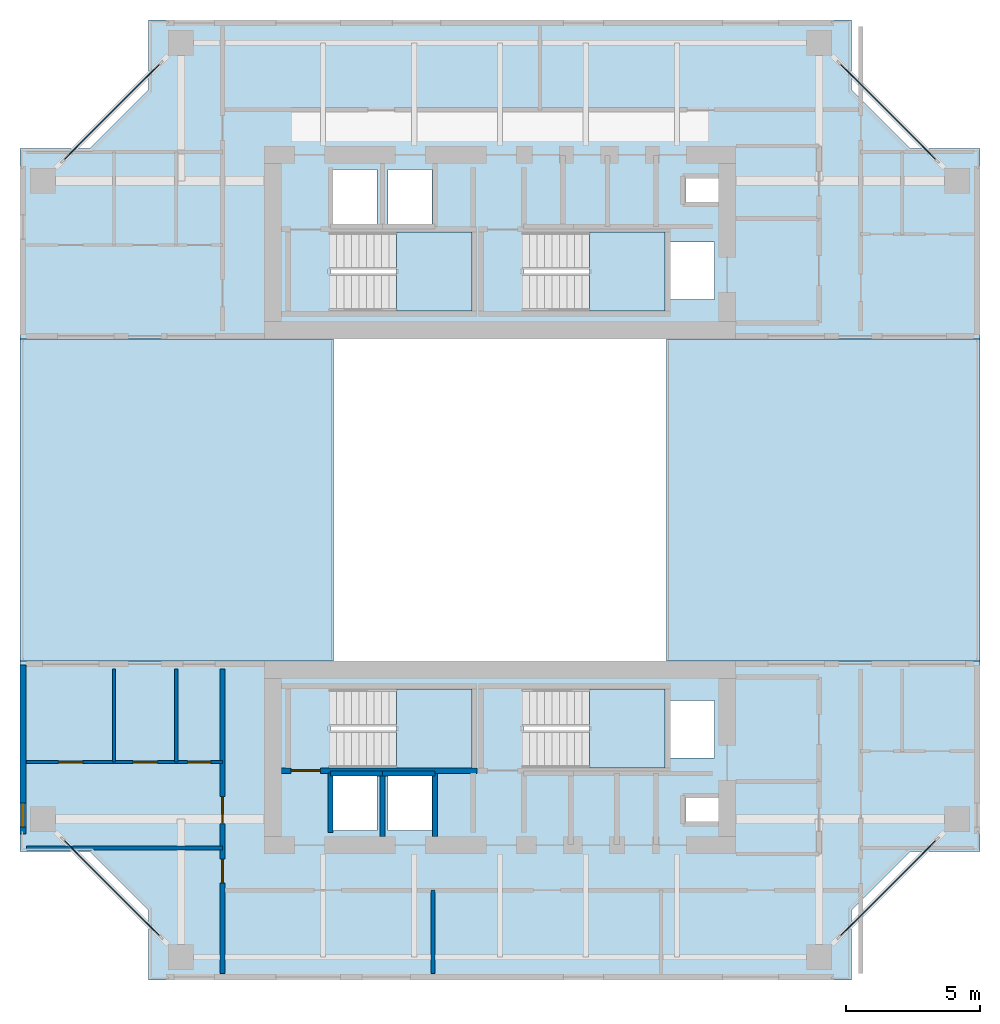
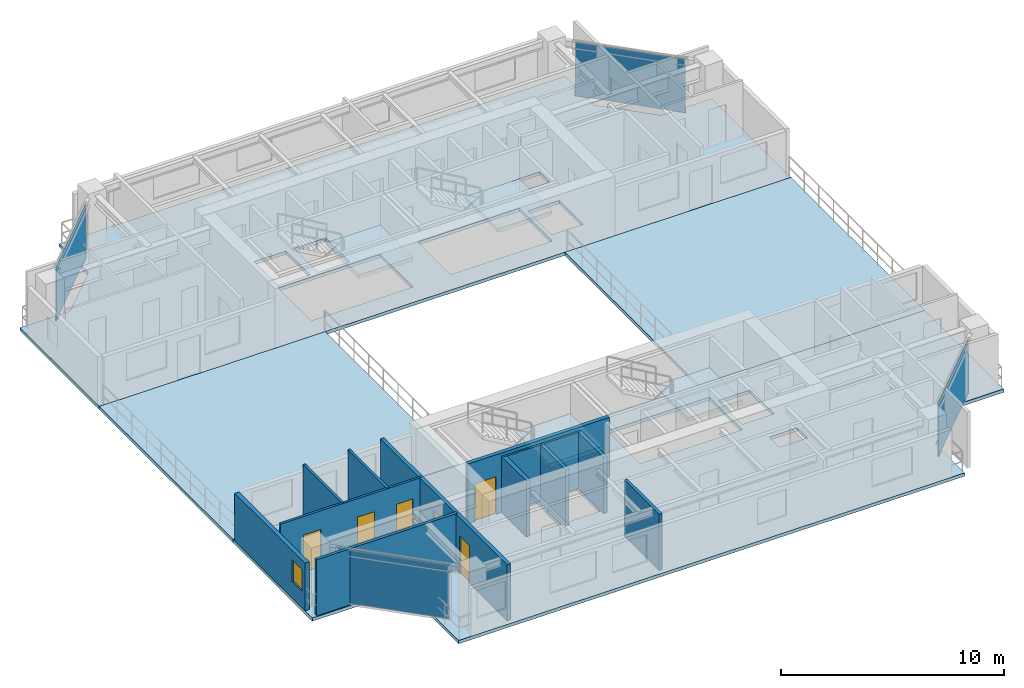
# One storey, part 6 of 14: 13 walls, 8 slabs, 6 doors, 4 plates, 1 window, 7 openings, 8 elements without a shape of their own.
"""IFC4 building model written with IfcOpenShell, lengths in metres."""

from ifc_helpers import new_model, si_unit, direction, frame, frame_2d, origin, origin_2d, place, context, subcontext, project, spatial, polyline, rectangle, outline, extrude, source, transform, mapped, material, layer, layer_set, type_object, element, fill, aggregate, save


model = new_model("IFC4")

# Units and contexts
model_context = context("Model", 3, precision=1e-05, world=origin(), true_north=direction((0.0, 1.0)))
body_context = subcontext(model_context, "Body", "Model", "MODEL_VIEW")
ifc_project = project(units=[si_unit("LENGTHUNIT", "METRE"), si_unit("AREAUNIT", "SQUARE_METRE"), si_unit("VOLUMEUNIT", "CUBIC_METRE"), si_unit("PLANEANGLEUNIT", "RADIAN"), si_unit("MASSUNIT", "GRAM", prefix="KILO"), si_unit("THERMODYNAMICTEMPERATUREUNIT", "KELVIN"), si_unit("POWERUNIT", "WATT")], contexts=[model_context])

# Site, building, storey
site_placement = place(None, origin())
site = spatial("IfcSite", under=ifc_project, at=site_placement, CompositionType="ELEMENT")
building_placement = place(site_placement, origin())
building = spatial("IfcBuilding", under=site, at=building_placement, Name="Qiaomeng Ring Towers", CompositionType="ELEMENT")
storey_placement = place(building_placement, frame((0.0, 0.0, 153.5)))
storey = spatial("IfcBuildingStorey", under=building, at=storey_placement, Name="L44", CompositionType="ELEMENT", Elevation=153.5)

# Slabs
ifc_material_1 = material(Name="Concrete C40", Category="concrete")
ifc_layer_1 = layer(ifc_material_1, 0.179931640625, Name="Concrete C40")
ifc_layer_set_1 = layer_set([ifc_layer_1], Name="Concrete C40")
slab_type_1 = type_object("IfcSlabType", Name="STR-SL-180", PredefinedType="FLOOR", material=ifc_layer_set_1)
slab_1_placement = place(storey_placement, frame((0.0, 0.0, -0.179931640625)))
element("IfcSlab", 1, at=slab_1_placement, inside=storey, type_object=slab_type_1, Name="L44 Tower 1 North Portal Wing Slab", PredefinedType="FLOOR", context=body_context, shape_type="SweptSolid", body=[
    extrude(outline(polyline([(1.10009765625, 36.10009765625), (3.699951171875, 36.10009765625), (5.89990234375, 38.300048828125), (5.89990234375, 40.89990234375), (32.10009765625, 40.89990234375), (32.10009765625, 38.300048828125), (34.300048828125, 36.10009765625), (36.89990234375, 36.10009765625), (36.89990234375, 29.0), (1.10009765625, 29.0), (1.10009765625, 36.10009765625)]), holes=[polyline([(17.949951171875, 30.050048828125), (12.679931640625, 30.050048828125), (12.679931640625, 32.989990234375), (17.949951171875, 32.989990234375), (17.949951171875, 30.050048828125)]), polyline([(19.8798828125, 30.050048828125), (19.8798828125, 32.989990234375), (25.14990234375, 32.989990234375), (25.14990234375, 30.050048828125), (19.8798828125, 30.050048828125)]), polyline([(25.360107421875, 30.47998046875), (25.360107421875, 32.6201171875), (27.0, 32.6201171875), (27.0, 30.47998046875), (25.360107421875, 30.47998046875)]), polyline([(14.419921875, 33.179931640625), (12.780029296875, 33.179931640625), (12.780029296875, 35.320068359375), (14.419921875, 35.320068359375), (14.419921875, 33.179931640625)]), polyline([(14.830078125, 33.179931640625), (14.830078125, 35.320068359375), (16.469970703125, 35.320068359375), (16.469970703125, 33.179931640625), (14.830078125, 33.179931640625)]), polyline([(25.919921875, 34.10009765625), (25.919921875, 35.0), (27.360107421875, 35.0), (27.360107421875, 34.10009765625), (25.919921875, 34.10009765625)])]), origin(), (0.0, 0.0, 1.0), 0.179931640625),
])
slab_2_placement = place(storey_placement, frame((0.0, 0.0, -0.179931640625)))
element("IfcSlab", 2, at=slab_2_placement, inside=storey, type_object=slab_type_1, Name="L44 Tower 1 South Portal Wing Slab", PredefinedType="FLOOR", context=body_context, shape_type="SweptSolid", body=[
    extrude(outline(polyline([(36.89990234375, 9.89990234375), (34.300048828125, 9.89990234375), (32.10009765625, 7.699951171875), (32.10009765625, 5.10009765625), (5.89990234375, 5.10009765625), (5.89990234375, 7.699951171875), (3.699951171875, 9.89990234375), (1.10009765625, 9.89990234375), (1.10009765625, 17.0), (36.89990234375, 17.0), (36.89990234375, 9.89990234375)]), holes=[polyline([(27.360107421875, 11.0), (25.919921875, 11.0), (25.919921875, 11.89990234375), (27.360107421875, 11.89990234375), (27.360107421875, 11.0)]), polyline([(12.780029296875, 10.679931640625), (12.780029296875, 12.820068359375), (14.419921875, 12.820068359375), (14.419921875, 10.679931640625), (12.780029296875, 10.679931640625)]), polyline([(14.830078125, 10.679931640625), (14.830078125, 12.820068359375), (16.469970703125, 12.820068359375), (16.469970703125, 10.679931640625), (14.830078125, 10.679931640625)]), polyline([(27.0, 13.3798828125), (25.360107421875, 13.3798828125), (25.360107421875, 15.52001953125), (27.0, 15.52001953125), (27.0, 13.3798828125)]), polyline([(12.679931640625, 13.010009765625), (12.679931640625, 15.949951171875), (17.949951171875, 15.949951171875), (17.949951171875, 13.010009765625), (12.679931640625, 13.010009765625)]), polyline([(19.8798828125, 13.010009765625), (19.8798828125, 15.949951171875), (25.14990234375, 15.949951171875), (25.14990234375, 13.010009765625), (19.8798828125, 13.010009765625)])]), origin(), (0.0, 0.0, 1.0), 0.179931640625),
])

# Stair, slab
ifc_material_2 = material(Name="Precast concrete C40", Category="concrete")
stair_type = type_object("IfcStairType", Name="ARC-ST-325", PredefinedType="HALF_TURN_STAIR", material=ifc_material_2)
stair_1_placement = place(storey_placement, origin())
stair_1 = element("IfcStair", 3, at=stair_1_placement, inside=storey, type_object=stair_type, Name="L44 Tower 1 North Stair 1", PredefinedType="HALF_TURN_STAIR")
ifc_layer_2 = layer(ifc_material_1, 0.199951171875, Name="Concrete C40")
ifc_layer_set_2 = layer_set([ifc_layer_2], Name="Concrete C40")
slab_type_2 = type_object("IfcSlabType", Name="STR-SL-LANDING", PredefinedType="LANDING", material=ifc_layer_set_2)
slab_3_placement = place(storey_placement, frame((0.0, 0.0, 1.425048828125)))
slab_3 = element("IfcSlab", 4, at=slab_3_placement, type_object=slab_type_2, Name="ST1 landing 1", PredefinedType="LANDING", context=body_context, shape_type="SweptSolid", body=[
    extrude(outline(polyline([(15.139892578125, 30.050048828125), (17.949951171875, 30.050048828125), (17.949951171875, 32.989990234375), (15.139892578125, 32.989990234375), (15.139892578125, 30.050048828125)])), origin(), (0.0, 0.0, 1.0), 0.199951171875),
])
aggregate(stair_1, [slab_3])

stair_2_placement = place(storey_placement, origin())
stair_2 = element("IfcStair", 5, at=stair_2_placement, inside=storey, type_object=stair_type, Name="L44 Tower 1 North Stair 2", PredefinedType="HALF_TURN_STAIR")
slab_4_placement = place(storey_placement, frame((0.0, 0.0, 1.425048828125)))
slab_4 = element("IfcSlab", 6, at=slab_4_placement, type_object=slab_type_2, Name="ST2 landing 1", PredefinedType="LANDING", context=body_context, shape_type="SweptSolid", body=[
    extrude(outline(polyline([(22.340087890625, 30.050048828125), (25.14990234375, 30.050048828125), (25.14990234375, 32.989990234375), (22.340087890625, 32.989990234375), (22.340087890625, 30.050048828125)])), origin(), (0.0, 0.0, 1.0), 0.199951171875),
])
aggregate(stair_2, [slab_4])

stair_3_placement = place(storey_placement, origin())
stair_3 = element("IfcStair", 7, at=stair_3_placement, inside=storey, type_object=stair_type, Name="L44 Tower 1 South Stair 3", PredefinedType="HALF_TURN_STAIR")
slab_5_placement = place(storey_placement, frame((0.0, 0.0, 1.425048828125)))
slab_5 = element("IfcSlab", 8, at=slab_5_placement, type_object=slab_type_2, Name="ST3 landing 1", PredefinedType="LANDING", context=body_context, shape_type="SweptSolid", body=[
    extrude(outline(polyline([(15.139892578125, 13.010009765625), (17.949951171875, 13.010009765625), (17.949951171875, 15.949951171875), (15.139892578125, 15.949951171875), (15.139892578125, 13.010009765625)])), origin(), (0.0, 0.0, 1.0), 0.199951171875),
])
aggregate(stair_3, [slab_5])

stair_4_placement = place(storey_placement, origin())
stair_4 = element("IfcStair", 9, at=stair_4_placement, inside=storey, type_object=stair_type, Name="L44 Tower 1 South Stair 4", PredefinedType="HALF_TURN_STAIR")
slab_6_placement = place(storey_placement, frame((0.0, 0.0, 1.425048828125)))
slab_6 = element("IfcSlab", 10, at=slab_6_placement, type_object=slab_type_2, Name="ST4 landing 1", PredefinedType="LANDING", context=body_context, shape_type="SweptSolid", body=[
    extrude(outline(polyline([(22.340087890625, 13.010009765625), (25.14990234375, 13.010009765625), (25.14990234375, 15.949951171875), (22.340087890625, 15.949951171875), (22.340087890625, 13.010009765625)])), origin(), (0.0, 0.0, 1.0), 0.199951171875),
])
aggregate(stair_4, [slab_6])

# Slabs
ifc_layer_3 = layer(ifc_material_1, 0.179931640625, Name="Concrete C40")
ifc_layer_set_3 = layer_set([ifc_layer_3], Name="Concrete C40")
slab_type_3 = type_object("IfcSlabType", Name="STR-SL-TERR180", PredefinedType="FLOOR", material=ifc_layer_set_3)
slab_7_placement = place(storey_placement, frame((0.0, 0.0, -0.179931640625)))
element("IfcSlab", 11, at=slab_7_placement, inside=storey, type_object=slab_type_3, Name="L44 West Void-Portal Sky Terrace Slab", PredefinedType="FLOOR", context=body_context, shape_type="SweptSolid", body=[
    extrude(outline(polyline([(1.10009765625, 17.0), (12.800048828125, 17.0), (12.800048828125, 29.0), (1.10009765625, 29.0), (1.10009765625, 17.0)])), origin(), (0.0, 0.0, 1.0), 0.179931640625),
])
slab_8_placement = place(storey_placement, frame((0.0, 0.0, -0.179931640625)))
element("IfcSlab", 12, at=slab_8_placement, inside=storey, type_object=slab_type_3, Name="L44 East Void-Portal Sky Terrace Slab", PredefinedType="FLOOR", context=body_context, shape_type="SweptSolid", body=[
    extrude(outline(polyline([(25.199951171875, 17.0), (36.89990234375, 17.0), (36.89990234375, 29.0), (25.199951171875, 29.0), (25.199951171875, 17.0)])), origin(), (0.0, 0.0, 1.0), 0.179931640625),
])

# Curtain wall, plate
ifc_material_3 = material(Name="Fluorocarbon dark-grey aluminium", Category="aluminium")
ifc_layer_4 = layer(ifc_material_3, 0.14990234375, Name="Fluorocarbon dark-grey aluminium")
ifc_layer_set_4 = layer_set([ifc_layer_4], Name="Fluorocarbon dark-grey aluminium")
curtain_wall_type = type_object("IfcCurtainWallType", Name="ARC-CW-3", PredefinedType="NOTDEFINED", material=ifc_layer_set_4)
curtain_wall_1_placement = place(storey_placement, origin())
curtain_wall_1 = element("IfcCurtainWall", 13, at=curtain_wall_1_placement, inside=storey, type_object=curtain_wall_type, Name="L44 Curtain Wall CW3", PredefinedType="NOTDEFINED")
ifc_material_4 = material(Name="Low-E dark-grey laminated double glazing", Category="glass")
ifc_layer_5 = layer(ifc_material_4, 0.028076171875, Name="Low-E dark-grey laminated double glazing")
ifc_layer_set_5 = layer_set([ifc_layer_5], Name="Low-E dark-grey laminated double glazing")
plate_type = type_object("IfcPlateType", Name="ARC-CWP-DARK", PredefinedType="CURTAIN_PANEL", material=ifc_layer_set_5)
shared_shape_1 = source(origin(), body_context, "Body", "SweptSolid", [
    extrude(rectangle(XDim=5.120849609375, YDim=0.028076171875, at=origin_2d()), origin(), (0.0, 0.0, 1.0), 2.93994140625),
])
plate_1_placement = place(storey_placement, frame((33.47509765625, 8.52490234375, 0.06494140625), z_axis=(0.0, 0.0, 1.0), x_axis=(0.707106781187, 0.707106781187, 0.0)))
plate_1 = element("IfcPlate", 14, at=plate_1_placement, type_object=plate_type, Name="CW3 panel 1.1", PredefinedType="CURTAIN_PANEL", context=body_context, shape_type="MappedRepresentation", body=[
    mapped(shared_shape_1, transform((0.0, 0.0, 0.0), x_axis=(1.0, 0.0, 0.0), y_axis=(0.0, 1.0, 0.0), z_axis=(0.0, 0.0, 1.0), scale=1.0)),
])
aggregate(curtain_wall_1, [plate_1])

curtain_wall_2_placement = place(storey_placement, origin())
curtain_wall_2 = element("IfcCurtainWall", 15, at=curtain_wall_2_placement, inside=storey, type_object=curtain_wall_type, Name="L44 Curtain Wall CW3", PredefinedType="NOTDEFINED")
plate_2_placement = place(storey_placement, frame((33.47509765625, 37.47509765625, 0.06494140625), z_axis=(0.0, 0.0, 1.0), x_axis=(-0.707106781187, 0.707106781187, 0.0)))
plate_2 = element("IfcPlate", 16, at=plate_2_placement, type_object=plate_type, Name="CW3 panel 1.1", PredefinedType="CURTAIN_PANEL", context=body_context, shape_type="MappedRepresentation", body=[
    mapped(shared_shape_1, transform((0.0, 0.0, 0.0), x_axis=(1.0, 0.0, 0.0), y_axis=(0.0, 1.0, 0.0), z_axis=(0.0, 0.0, 1.0), scale=1.0)),
])
aggregate(curtain_wall_2, [plate_2])

curtain_wall_3_placement = place(storey_placement, origin())
curtain_wall_3 = element("IfcCurtainWall", 17, at=curtain_wall_3_placement, inside=storey, type_object=curtain_wall_type, Name="L44 Curtain Wall CW3", PredefinedType="NOTDEFINED")
plate_3_placement = place(storey_placement, frame((4.52490234375, 37.47509765625, 0.06494140625), z_axis=(0.0, 0.0, 1.0), x_axis=(-0.707106781187, -0.707106781187, 0.0)))
plate_3 = element("IfcPlate", 18, at=plate_3_placement, type_object=plate_type, Name="CW3 panel 1.1", PredefinedType="CURTAIN_PANEL", context=body_context, shape_type="MappedRepresentation", body=[
    mapped(shared_shape_1, transform((0.0, 0.0, 0.0), x_axis=(1.0, 0.0, 0.0), y_axis=(0.0, 1.0, 0.0), z_axis=(0.0, 0.0, 1.0), scale=1.0)),
])
aggregate(curtain_wall_3, [plate_3])

curtain_wall_4_placement = place(storey_placement, origin())
curtain_wall_4 = element("IfcCurtainWall", 19, at=curtain_wall_4_placement, inside=storey, type_object=curtain_wall_type, Name="L44 Curtain Wall CW3", PredefinedType="NOTDEFINED")
plate_4_placement = place(storey_placement, frame((4.52490234375, 8.52490234375, 0.06494140625), z_axis=(0.0, 0.0, 1.0), x_axis=(0.707106781187, -0.707106781187, 0.0)))
plate_4 = element("IfcPlate", 20, at=plate_4_placement, type_object=plate_type, Name="CW3 panel 1.1", PredefinedType="CURTAIN_PANEL", context=body_context, shape_type="MappedRepresentation", body=[
    mapped(shared_shape_1, transform((0.0, 0.0, 0.0), x_axis=(1.0, 0.0, 0.0), y_axis=(0.0, 1.0, 0.0), z_axis=(0.0, 0.0, 1.0), scale=1.0)),
])
aggregate(curtain_wall_4, [plate_4])

# Wall, opening, window
ifc_layer_6 = layer(ifc_material_2, 0.219970703125, Name="Precast concrete C40")
ifc_layer_set_6 = layer_set([ifc_layer_6], Name="Precast concrete C40")
wall_type_1 = type_object("IfcWallType", Name="ARC-WL-EW2", PredefinedType="STANDARD", material=ifc_layer_set_6)
wall_1_placement = place(storey_placement, frame((1.2099609375, 10.550048828125, 0.0), z_axis=(0.0, 0.0, 1.0), x_axis=(0.0, 1.0, 0.0)))
wall_1 = element("IfcWall", 21, at=wall_1_placement, inside=storey, type_object=wall_type_1, Name="L44 Portal Wing Side Wall SWING-WL", PredefinedType="STANDARD", context=body_context, shape_type="SweptSolid", body=[
    extrude(rectangle(XDim=6.300048828125, YDim=0.219970703125, at=frame_2d((3.14990234375, 0.0))), origin(), (0.0, 0.0, 1.0), 2.610107421875),
])
opening_1_placement = place(wall_1_placement, frame((0.25, 0.0, 0.89990234375)))
opening_1 = element("IfcOpeningElement", 22, at=opening_1_placement, cuts=wall_1, Name="Opening WN5", PredefinedType="OPENING", context=body_context, shape_type="SweptSolid", body=[
    extrude(rectangle(XDim=0.89990234375, YDim=1.199951171875, at=frame_2d((0.449951171875, 0.60009765625))), frame((0.0, 0.119873046875, 0.0), z_axis=(0.0, -1.0, 0.0), x_axis=(1.0, 0.0, 0.0)), (0.0, 0.0, 1.0), 0.239990234375),
])
window_type = type_object("IfcWindowType", Name="ARC-WN-5", PartitioningType="SINGLE_PANEL", PredefinedType="WINDOW", material=ifc_material_4)
shared_shape_2 = source(origin(), body_context, "Body", "SweptSolid", [
    extrude(rectangle(XDim=0.89990234375, YDim=1.199951171875, at=frame_2d((0.449951171875, 0.60009765625))), frame((0.0, 0.030029296875, 0.0), z_axis=(0.0, -1.0, 0.0), x_axis=(1.0, 0.0, 0.0)), (0.0, 0.0, 1.0), 0.06005859375),
])
window_placement = place(opening_1_placement, origin())
window = element("IfcWindow", 23, at=window_placement, inside=storey, type_object=window_type, Name="L44 Exterior Window WN5", OverallHeight=1.199951171875, OverallWidth=0.89990234375, PartitioningType="SINGLE_PANEL", PredefinedType="WINDOW", context=body_context, shape_type="MappedRepresentation", body=[
    mapped(shared_shape_2, transform((0.0, 0.0, 0.0), x_axis=(1.0, 0.0, 0.0), y_axis=(0.0, 1.0, 0.0), z_axis=(0.0, 0.0, 1.0), scale=1.0)),
])
fill(opening_1, window)

# Wall
ifc_material_5 = material(Name="Autoclaved aerated concrete block", Category="concrete")
ifc_layer_7 = layer(ifc_material_5, 0.199951171875, Name="Autoclaved aerated concrete block")
ifc_layer_set_7 = layer_set([ifc_layer_7], Name="Autoclaved aerated concrete block")
wall_type_2 = type_object("IfcWallType", Name="ARC-WL-PW1", PredefinedType="PARTITIONING", material=ifc_layer_set_7)
wall_2_placement = place(storey_placement, frame((12.679931640625, 10.60009765625, 0.0), z_axis=(0.0, 0.0, 1.0), x_axis=(0.0, 1.0, 0.0)))
element("IfcWall", 24, at=wall_2_placement, inside=storey, type_object=wall_type_2, Name="L44 Interior Wall PW1", PredefinedType="PARTITIONING", context=body_context, shape_type="SweptSolid", body=[
    extrude(rectangle(XDim=2.2099609375, YDim=0.199951171875, at=frame_2d((1.10498046875, 0.0))), origin(), (0.0, 0.0, 1.0), 3.070068359375),
])

# Wall, openings, doors
ifc_layer_8 = layer(ifc_material_5, 0.179931640625, Name="Autoclaved aerated concrete block")
ifc_layer_set_8 = layer_set([ifc_layer_8], Name="Autoclaved aerated concrete block")
wall_type_3 = type_object("IfcWallType", Name="ARC-WL-PW2", PredefinedType="PARTITIONING", material=ifc_layer_set_8)
wall_3_placement = place(storey_placement, frame((8.64990234375, 5.35009765625, 0.0), z_axis=(0.0, 0.0, 1.0), x_axis=(0.0, 1.0, 0.0)))
wall_3 = element("IfcWall", 25, at=wall_3_placement, inside=storey, type_object=wall_type_3, Name="L44 Interior Wall PW2", PredefinedType="PARTITIONING", context=body_context, shape_type="SweptSolid", body=[
    extrude(rectangle(XDim=11.349853515625, YDim=0.179931640625, at=frame_2d((5.6748046875, 0.0))), origin(), (0.0, 0.0, 1.0), 3.070068359375),
])
opening_2_placement = place(wall_3_placement, frame((3.360107421875, 0.0, 0.0)))
opening_2 = element("IfcOpeningElement", 26, at=opening_2_placement, cuts=wall_3, Name="Opening ID1", PredefinedType="OPENING", context=body_context, shape_type="SweptSolid", body=[
    extrude(rectangle(XDim=0.89990234375, YDim=2.050048828125, at=frame_2d((0.449951171875, 1.02490234375))), frame((0.0, 0.099853515625, 0.0), z_axis=(0.0, -1.0, 0.0), x_axis=(1.0, 0.0, 0.0)), (0.0, 0.0, 1.0), 0.199951171875),
])
opening_3_placement = place(wall_3_placement, frame((5.5849609375, 0.0, 0.0)))
opening_3 = element("IfcOpeningElement", 27, at=opening_3_placement, cuts=wall_3, Name="Opening FD4", PredefinedType="OPENING", context=body_context, shape_type="SweptSolid", body=[
    extrude(rectangle(XDim=1.0, YDim=2.050048828125, at=frame_2d((0.5, 1.02490234375))), frame((0.0, 0.099853515625, 0.0), z_axis=(0.0, -1.0, 0.0), x_axis=(1.0, 0.0, 0.0)), (0.0, 0.0, 1.0), 0.199951171875),
])
ifc_material_6 = material(Name="Engineered fire-rated oak timber", Category="wood")
door_type_1 = type_object("IfcDoorType", Name="ARC-DR-FD4", OperationType="NOTDEFINED", PredefinedType="DOOR", material=ifc_material_6)
shared_shape_3 = source(origin(), body_context, "Body", "SweptSolid", [
    extrude(rectangle(XDim=1.0, YDim=2.050048828125, at=frame_2d((0.5, 1.02490234375))), frame((0.0, 0.02490234375, 0.0), z_axis=(0.0, -1.0, 0.0), x_axis=(1.0, 0.0, 0.0)), (0.0, 0.0, 1.0), 0.050048828125),
])
door_1_placement = place(opening_3_placement, origin())
door_1 = element("IfcDoor", 28, at=door_1_placement, inside=storey, type_object=door_type_1, Name="L44 Door FD4", OperationType="SINGLE_SWING_RIGHT", OverallHeight=2.050048828125, OverallWidth=1.0, PredefinedType="DOOR", context=body_context, shape_type="MappedRepresentation", body=[
    mapped(shared_shape_3, transform((0.0, 0.0, 0.0), x_axis=(1.0, 0.0, 0.0), y_axis=(0.0, 1.0, 0.0), z_axis=(0.0, 0.0, 1.0), scale=1.0)),
])
fill(opening_3, door_1)
ifc_material_7 = material(Name="Engineered oak timber", Category="wood")
door_type_2 = type_object("IfcDoorType", Name="ARC-DR-ID1", OperationType="NOTDEFINED", PredefinedType="DOOR", material=ifc_material_7)
shared_shape_4 = source(origin(), body_context, "Body", "SweptSolid", [
    extrude(rectangle(XDim=0.89990234375, YDim=2.050048828125, at=frame_2d((0.449951171875, 1.02490234375))), frame((0.0, 0.02490234375, 0.0), z_axis=(0.0, -1.0, 0.0), x_axis=(1.0, 0.0, 0.0)), (0.0, 0.0, 1.0), 0.050048828125),
])
door_2_placement = place(opening_2_placement, origin())
door_2 = element("IfcDoor", 29, at=door_2_placement, inside=storey, type_object=door_type_2, Name="L44 Door ID1", OperationType="SINGLE_SWING_LEFT", OverallHeight=2.050048828125, OverallWidth=0.89990234375, PredefinedType="DOOR", context=body_context, shape_type="MappedRepresentation", body=[
    mapped(shared_shape_4, transform((0.0, 0.0, 0.0), x_axis=(1.0, 0.0, 0.0), y_axis=(0.0, 1.0, 0.0), z_axis=(0.0, 0.0, 1.0), scale=1.0)),
])
fill(opening_2, door_2)

# Walls
ifc_material_8 = material(Name="Gypsum fireboard steel-stud partition", Category="steel")
ifc_layer_9 = layer(ifc_material_8, 0.14990234375, Name="Gypsum fireboard steel-stud partition")
ifc_layer_set_9 = layer_set([ifc_layer_9], Name="Gypsum fireboard steel-stud partition")
wall_type_4 = type_object("IfcWallType", Name="ARC-WL-PW3", PredefinedType="PARTITIONING", material=ifc_layer_set_9)
wall_4_placement = place(storey_placement, frame((1.35009765625, 10.02001953125, 0.0), z_axis=(0.0, 0.0, 1.0), x_axis=(1.0, 0.0, 0.0)))
element("IfcWall", 30, at=wall_4_placement, inside=storey, type_object=wall_type_4, Name="L44 Interior Wall PW3", PredefinedType="PARTITIONING", context=body_context, shape_type="SweptSolid", body=[
    extrude(rectangle(XDim=7.2998046875, YDim=0.14990234375, at=frame_2d((3.64990234375, 0.0))), origin(), (0.0, 0.0, 1.0), 3.070068359375),
])
wall_5_placement = place(storey_placement, frame((16.5, 5.35009765625, 0.0), z_axis=(0.0, 0.0, 1.0), x_axis=(0.0, 1.0, 0.0)))
element("IfcWall", 31, at=wall_5_placement, inside=storey, type_object=wall_type_4, Name="L44 Interior Wall PW3", PredefinedType="PARTITIONING", context=body_context, shape_type="SweptSolid", body=[
    extrude(rectangle(XDim=3.099853515625, YDim=0.14990234375, at=frame_2d((1.5498046875, 0.0))), origin(), (0.0, 0.0, 1.0), 3.070068359375),
])

# Wall, openings, doors
ifc_material_9 = material(Name="Moisture-resistant gypsum steel-stud partition", Category="steel")
ifc_layer_10 = layer(ifc_material_9, 0.1201171875, Name="Moisture-resistant gypsum steel-stud partition")
ifc_layer_set_10 = layer_set([ifc_layer_10], Name="Moisture-resistant gypsum steel-stud partition")
wall_type_5 = type_object("IfcWallType", Name="ARC-WL-PW4", PredefinedType="PLUMBINGWALL", material=ifc_layer_set_10)
wall_6_placement = place(storey_placement, frame((1.35009765625, 13.22998046875, 0.0), z_axis=(0.0, 0.0, 1.0), x_axis=(1.0, 0.0, 0.0)))
wall_6 = element("IfcWall", 32, at=wall_6_placement, inside=storey, type_object=wall_type_5, Name="L44 Interior Wall PW4", PredefinedType="PLUMBINGWALL", context=body_context, shape_type="SweptSolid", body=[
    extrude(rectangle(XDim=7.2998046875, YDim=0.1201171875, at=frame_2d((3.64990234375, 0.0))), origin(), (0.0, 0.0, 1.0), 3.070068359375),
])
opening_4_placement = place(wall_6_placement, frame((1.18994140625, 0.0, 0.0)))
opening_4 = element("IfcOpeningElement", 33, at=opening_4_placement, cuts=wall_6, Name="Opening ID1", PredefinedType="OPENING", context=body_context, shape_type="SweptSolid", body=[
    extrude(rectangle(XDim=0.89990234375, YDim=2.050048828125, at=frame_2d((0.449951171875, 1.02490234375))), frame((0.0, 0.070068359375, 0.0), z_axis=(0.0, -1.0, 0.0), x_axis=(1.0, 0.0, 0.0)), (0.0, 0.0, 1.0), 0.14013671875),
])
opening_5_placement = place(wall_6_placement, frame((3.969970703125, 0.0, 0.0)))
opening_5 = element("IfcOpeningElement", 34, at=opening_5_placement, cuts=wall_6, Name="Opening ID1", PredefinedType="OPENING", context=body_context, shape_type="SweptSolid", body=[
    extrude(rectangle(XDim=0.89990234375, YDim=2.050048828125, at=frame_2d((0.449951171875, 1.02490234375))), frame((0.0, 0.070068359375, 0.0), z_axis=(0.0, -1.0, 0.0), x_axis=(1.0, 0.0, 0.0)), (0.0, 0.0, 1.0), 0.14013671875),
])
opening_6_placement = place(wall_6_placement, frame((6.0048828125, 0.0, 0.0)))
opening_6 = element("IfcOpeningElement", 35, at=opening_6_placement, cuts=wall_6, Name="Opening ID2", PredefinedType="OPENING", context=body_context, shape_type="SweptSolid", body=[
    extrude(rectangle(XDim=0.85009765625, YDim=2.050048828125, at=frame_2d((0.425048828125, 1.02490234375))), frame((0.0, 0.070068359375, 0.0), z_axis=(0.0, -1.0, 0.0), x_axis=(1.0, 0.0, 0.0)), (0.0, 0.0, 1.0), 0.14013671875),
])
ifc_material_10 = material(Name="Moisture-resistant engineered timber", Category="wood")
door_type_3 = type_object("IfcDoorType", Name="ARC-DR-ID2", OperationType="NOTDEFINED", PredefinedType="DOOR", material=ifc_material_10)
shared_shape_5 = source(origin(), body_context, "Body", "SweptSolid", [
    extrude(rectangle(XDim=0.85009765625, YDim=2.050048828125, at=frame_2d((0.425048828125, 1.02490234375))), frame((0.0, 0.02490234375, 0.0), z_axis=(0.0, -1.0, 0.0), x_axis=(1.0, 0.0, 0.0)), (0.0, 0.0, 1.0), 0.050048828125),
])
door_3_placement = place(opening_6_placement, origin())
door_3 = element("IfcDoor", 36, at=door_3_placement, inside=storey, type_object=door_type_3, Name="L44 Door ID2", OperationType="SINGLE_SWING_RIGHT", OverallHeight=2.050048828125, OverallWidth=0.85009765625, PredefinedType="DOOR", context=body_context, shape_type="MappedRepresentation", body=[
    mapped(shared_shape_5, transform((0.0, 0.0, 0.0), x_axis=(1.0, 0.0, 0.0), y_axis=(0.0, 1.0, 0.0), z_axis=(0.0, 0.0, 1.0), scale=1.0)),
])
fill(opening_6, door_3)
door_4_placement = place(opening_4_placement, origin())
door_4 = element("IfcDoor", 37, at=door_4_placement, inside=storey, type_object=door_type_2, Name="L44 Door ID1", OperationType="SINGLE_SWING_RIGHT", OverallHeight=2.050048828125, OverallWidth=0.89990234375, PredefinedType="DOOR", context=body_context, shape_type="MappedRepresentation", body=[
    mapped(shared_shape_4, transform((0.0, 0.0, 0.0), x_axis=(1.0, 0.0, 0.0), y_axis=(0.0, 1.0, 0.0), z_axis=(0.0, 0.0, 1.0), scale=1.0)),
])
fill(opening_4, door_4)
door_5_placement = place(opening_5_placement, origin())
door_5 = element("IfcDoor", 38, at=door_5_placement, inside=storey, type_object=door_type_2, Name="L44 Door ID1", OperationType="SINGLE_SWING_LEFT", OverallHeight=2.050048828125, OverallWidth=0.89990234375, PredefinedType="DOOR", context=body_context, shape_type="MappedRepresentation", body=[
    mapped(shared_shape_4, transform((0.0, 0.0, 0.0), x_axis=(1.0, 0.0, 0.0), y_axis=(0.0, 1.0, 0.0), z_axis=(0.0, 0.0, 1.0), scale=1.0)),
])
fill(opening_5, door_5)

# Walls
for number, where, z_axis, x_axis, name in (
    (39, (4.610107421875, 13.22998046875, 0.0), (0.0, 0.0, 1.0), (0.0, 1.0, 0.0), "L44 Interior Wall PW4"),
    (40, (6.929931640625, 13.22998046875, 0.0), (0.0, 0.0, 1.0), (0.0, 1.0, 0.0), "L44 Interior Wall PW4"),
):
    element("IfcWall", number, at=place(storey_placement, frame(where, z_axis=z_axis, x_axis=x_axis)), inside=storey, type_object=wall_type_5, Name=name, PredefinedType="PLUMBINGWALL", context=body_context, shape_type="SweptSolid", body=[
        extrude(rectangle(XDim=3.469970703125, YDim=0.1201171875, at=frame_2d((1.73486328125, 0.0))), origin(), (0.0, 0.0, 1.0), 3.070068359375),
    ])
ifc_layer_11 = layer(ifc_material_1, 0.199951171875, Name="Concrete C40")
ifc_layer_set_11 = layer_set([ifc_layer_11], Name="Concrete C40")
wall_type_6 = type_object("IfcWallType", Name="STR-WL-STSHAFT", PredefinedType="SHEAR", material=ifc_layer_set_11)
wall_7_placement = place(storey_placement, frame((12.679931640625, 12.800048828125, 0.0), z_axis=(0.0, 0.0, 1.0), x_axis=(1.0, 0.0, 0.0)))
element("IfcWall", 41, at=wall_7_placement, inside=storey, type_object=wall_type_6, Name="L44 Lift LP6 Shaft Back Wall", PredefinedType="SHEAR", context=body_context, shape_type="SweptSolid", body=[
    extrude(rectangle(XDim=1.940185546875, YDim=0.179931640625, at=frame_2d((0.97021484375, 0.0))), origin(), (0.0, 0.0, 1.0), 3.070068359375),
])
wall_8_placement = place(storey_placement, frame((14.6201171875, 10.449951171875, 0.0), z_axis=(0.0, 0.0, 1.0), x_axis=(0.0, 1.0, 0.0)))
element("IfcWall", 42, at=wall_8_placement, inside=storey, type_object=wall_type_6, Name="L44 Lift LP6-LP4 Shaft Divider Wall", PredefinedType="SHEAR", context=body_context, shape_type="SweptSolid", body=[
    extrude(rectangle(XDim=2.35009765625, YDim=0.179931640625, at=frame_2d((1.175048828125, 0.0))), origin(), (0.0, 0.0, 1.0), 3.070068359375),
])
wall_9_placement = place(storey_placement, frame((14.6201171875, 12.800048828125, 0.0), z_axis=(0.0, 0.0, 1.0), x_axis=(1.0, 0.0, 0.0)))
element("IfcWall", 43, at=wall_9_placement, inside=storey, type_object=wall_type_6, Name="L44 Lift LP4 Shaft Back Wall", PredefinedType="SHEAR", context=body_context, shape_type="SweptSolid", body=[
    extrude(rectangle(XDim=1.9599609375, YDim=0.179931640625, at=frame_2d((0.97998046875, 0.0))), origin(), (0.0, 0.0, 1.0), 3.070068359375),
])
wall_10_placement = place(storey_placement, frame((16.580078125, 10.449951171875, 0.0), z_axis=(0.0, 0.0, 1.0), x_axis=(0.0, 1.0, 0.0)))
element("IfcWall", 44, at=wall_10_placement, inside=storey, type_object=wall_type_6, Name="L44 Lift LP4 East Shaft Wall", PredefinedType="SHEAR", context=body_context, shape_type="SweptSolid", body=[
    extrude(rectangle(XDim=2.35009765625, YDim=0.179931640625, at=frame_2d((1.175048828125, 0.0))), origin(), (0.0, 0.0, 1.0), 3.070068359375),
])

# Wall, opening, door
wall_11_placement = place(storey_placement, frame((10.85009765625, 12.909912109375, 0.0), z_axis=(0.0, 0.0, 1.0), x_axis=(1.0, 0.0, 0.0)))
wall_11 = element("IfcWall", 45, at=wall_11_placement, inside=storey, type_object=wall_type_6, Name="L44 Stair ST3 South Shaft Shear Wall", PredefinedType="SHEAR", context=body_context, shape_type="SweptSolid", body=[
    extrude(rectangle(XDim=7.2998046875, YDim=0.199951171875, at=frame_2d((3.64990234375, 0.0))), origin(), (0.0, 0.0, 1.0), 3.25),
])
opening_7_placement = place(wall_11_placement, frame((0.35009765625, 0.0, 0.0)))
opening_7 = element("IfcOpeningElement", 46, at=opening_7_placement, cuts=wall_11, Name="Opening FD3", PredefinedType="OPENING", context=body_context, shape_type="SweptSolid", body=[
    extrude(rectangle(XDim=1.10009765625, YDim=2.050048828125, at=frame_2d((0.550048828125, 1.02490234375))), frame((0.0, 0.10986328125, 0.0), z_axis=(0.0, -1.0, 0.0), x_axis=(1.0, 0.0, 0.0)), (0.0, 0.0, 1.0), 0.219970703125),
])
ifc_material_11 = material(Name="Galvanised steel", Category="steel")
door_type_4 = type_object("IfcDoorType", Name="ARC-DR-FD3", OperationType="NOTDEFINED", PredefinedType="DOOR", material=ifc_material_11)
shared_shape_6 = source(origin(), body_context, "Body", "SweptSolid", [
    extrude(rectangle(XDim=1.10009765625, YDim=2.050048828125, at=frame_2d((0.550048828125, 1.02490234375))), frame((0.0, 0.02490234375, 0.0), z_axis=(0.0, -1.0, 0.0), x_axis=(1.0, 0.0, 0.0)), (0.0, 0.0, 1.0), 0.050048828125),
])
door_6_placement = place(opening_7_placement, frame((1.10009765625, 0.0, 0.0), z_axis=(0.0, 0.0, 1.0), x_axis=(-1.0, 0.0, 0.0)))
door_6 = element("IfcDoor", 47, at=door_6_placement, inside=storey, type_object=door_type_4, Name="L44 Stair ST3 Exit Door", OperationType="SINGLE_SWING_RIGHT", OverallHeight=2.050048828125, OverallWidth=1.10009765625, PredefinedType="DOOR", context=body_context, shape_type="MappedRepresentation", body=[
    mapped(shared_shape_6, transform((0.0, 0.0, 0.0), x_axis=(1.0, 0.0, 0.0), y_axis=(0.0, 1.0, 0.0), z_axis=(0.0, 0.0, 1.0), scale=1.0)),
])
fill(opening_7, door_6)

save(model, "model.ifc")
